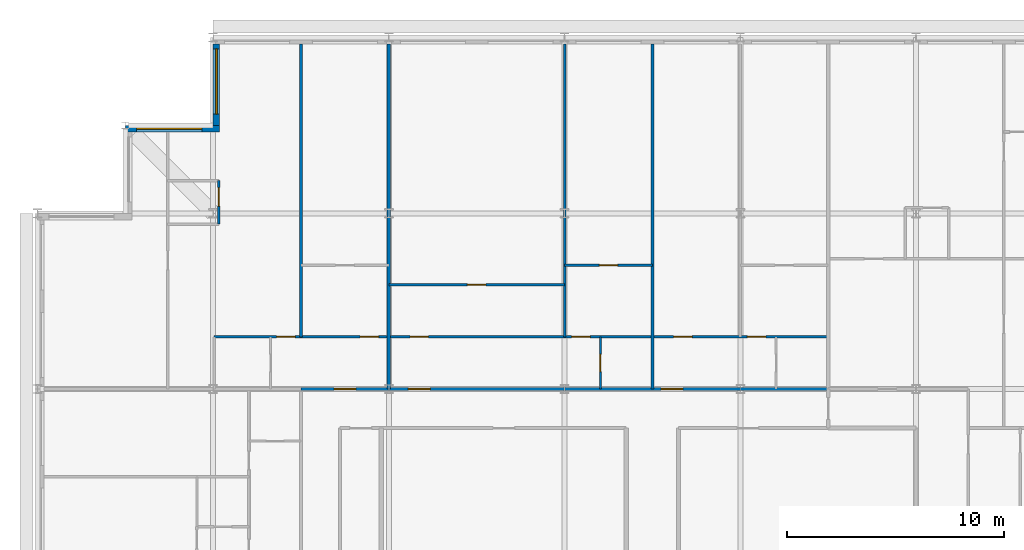
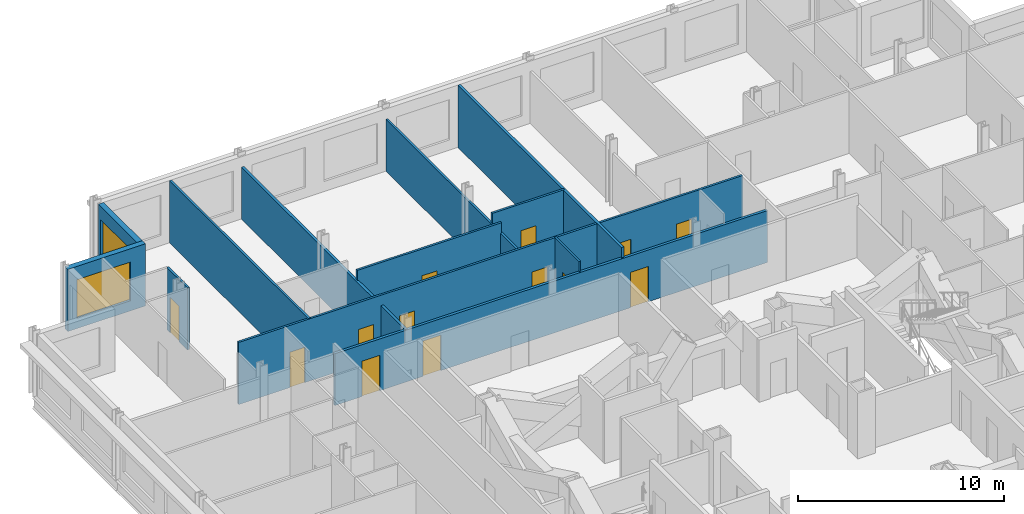
# One storey, part 12 of 15: 13 doors, 12 walls, 2 windows, 15 openings.
"""IFC4 building model written with IfcOpenShell, lengths in metres."""

from ifc_helpers import new_model, si_unit, direction, frame, frame_2d, origin, place, context, subcontext, project, spatial, rectangle, extrude, material, layer, layer_set, type_object, element, fill, save


model = new_model("IFC4")

# Units and contexts
model_context = context("Model", 3, precision=1e-05, world=origin(), true_north=direction((0.0, 1.0)))
body_context = subcontext(model_context, "Body", "Model", "MODEL_VIEW")
ifc_project = project(units=[si_unit("LENGTHUNIT", "METRE"), si_unit("AREAUNIT", "SQUARE_METRE"), si_unit("VOLUMEUNIT", "CUBIC_METRE"), si_unit("PLANEANGLEUNIT", "RADIAN"), si_unit("MASSUNIT", "GRAM", prefix="KILO")], contexts=[model_context])

# Site, building, storey
site_placement = place(None, origin())
site = spatial("IfcSite", under=ifc_project, at=site_placement, CompositionType="ELEMENT")
building_placement = place(site_placement, origin())
building = spatial("IfcBuilding", under=site, at=building_placement, Name="Kopane Lantern Tower", CompositionType="ELEMENT")
storey_placement = place(building_placement, frame((0.0, 0.0, 285.300048828125)))
storey = spatial("IfcBuildingStorey", under=building, at=storey_placement, Name="L73", CompositionType="ELEMENT", Elevation=285.300048828125)

# Wall
ifc_material_1 = material(Name="Gypsum board on steel studs", Category="steel")
ifc_layer_1 = layer(ifc_material_1, 0.1201171875)
ifc_layer_set_1 = layer_set([ifc_layer_1], Name="APARTMENT INTERNAL WALL 120")
wall_type_1 = type_object("IfcWallType", Name="APARTMENT INTERNAL WALL 120", PredefinedType="PARTITIONING", material=ifc_layer_set_1)
wall_1_placement = place(storey_placement, frame((24.300048828125, 51.0, 0.0), z_axis=(0.0, 0.0, 1.0), x_axis=(0.0, 1.0, 0.0)))
element("IfcWall", 1, at=wall_1_placement, inside=storey, type_object=wall_type_1, Name="Apartment Internal Wall 120 L73", PredefinedType="PARTITIONING", context=body_context, shape_type="SweptSolid", body=[
    extrude(rectangle(XDim=13.5, YDim=0.1201171875, at=frame_2d((6.75, 0.0))), origin(), (0.0, 0.0, 1.0), 3.07763671875),
])

# Wall, openings, doors
wall_2_placement = place(storey_placement, frame((8.14990234375, 51.0, 0.0), z_axis=(0.0, 0.0, 1.0), x_axis=(1.0, 0.0, 0.0)))
wall_2 = element("IfcWall", 2, at=wall_2_placement, inside=storey, type_object=wall_type_1, Name="Apartment Internal Wall 120 L73", PredefinedType="PARTITIONING", context=body_context, shape_type="SweptSolid", body=[
    extrude(rectangle(XDim=28.300048828125, YDim=0.1201171875, at=frame_2d((14.14990234375, 0.0))), origin(), (0.0, 0.0, 1.0), 3.68994140625),
])
opening_1_placement = place(wall_2_placement, frame((9.02490234375, 0.0, 0.0)))
opening_1 = element("IfcOpeningElement", 3, at=opening_1_placement, cuts=wall_2, Name="Opening L73-015", PredefinedType="OPENING", context=body_context, shape_type="SweptSolid", body=[
    extrude(rectangle(XDim=0.85009765625, YDim=2.10009765625, at=frame_2d((0.425048828125, 1.050048828125))), frame((0.0, 0.070068359375, 0.0), z_axis=(0.0, -1.0, 0.0), x_axis=(1.0, 0.0, 0.0)), (0.0, 0.0, 1.0), 0.14013671875),
])
opening_2_placement = place(wall_2_placement, frame((16.47509765625, 0.0, 0.0)))
opening_2 = element("IfcOpeningElement", 4, at=opening_2_placement, cuts=wall_2, Name="Opening L73-016", PredefinedType="OPENING", context=body_context, shape_type="SweptSolid", body=[
    extrude(rectangle(XDim=0.85009765625, YDim=2.10009765625, at=frame_2d((0.425048828125, 1.050048828125))), frame((0.0, 0.070068359375, 0.0), z_axis=(0.0, -1.0, 0.0), x_axis=(1.0, 0.0, 0.0)), (0.0, 0.0, 1.0), 0.14013671875),
])
opening_3_placement = place(wall_2_placement, frame((21.175048828125, 0.0, 0.0)))
opening_3 = element("IfcOpeningElement", 5, at=opening_3_placement, cuts=wall_2, Name="Opening L73-019", PredefinedType="OPENING", context=body_context, shape_type="SweptSolid", body=[
    extrude(rectangle(XDim=0.85009765625, YDim=2.10009765625, at=frame_2d((0.425048828125, 1.050048828125))), frame((0.0, 0.070068359375, 0.0), z_axis=(0.0, -1.0, 0.0), x_axis=(1.0, 0.0, 0.0)), (0.0, 0.0, 1.0), 0.14013671875),
])
opening_4_placement = place(wall_2_placement, frame((24.574951171875, 0.0, 0.0)))
opening_4 = element("IfcOpeningElement", 6, at=opening_4_placement, cuts=wall_2, Name="Opening L73-020", PredefinedType="OPENING", context=body_context, shape_type="SweptSolid", body=[
    extrude(rectangle(XDim=0.85009765625, YDim=2.10009765625, at=frame_2d((0.425048828125, 1.050048828125))), frame((0.0, 0.070068359375, 0.0), z_axis=(0.0, -1.0, 0.0), x_axis=(1.0, 0.0, 0.0)), (0.0, 0.0, 1.0), 0.14013671875),
])
opening_5_placement = place(wall_2_placement, frame((6.72509765625, 0.0, 0.0)))
opening_5 = element("IfcOpeningElement", 7, at=opening_5_placement, cuts=wall_2, Name="Opening L73-034", PredefinedType="OPENING", context=body_context, shape_type="SweptSolid", body=[
    extrude(rectangle(XDim=0.85009765625, YDim=2.10009765625, at=frame_2d((0.425048828125, 1.050048828125))), frame((0.0, 0.070068359375, 0.0), z_axis=(0.0, -1.0, 0.0), x_axis=(1.0, 0.0, 0.0)), (0.0, 0.0, 1.0), 0.14013671875),
])
opening_6_placement = place(wall_2_placement, frame((2.875, 0.0, 0.0)))
opening_6 = element("IfcOpeningElement", 8, at=opening_6_placement, cuts=wall_2, Name="Opening L73-036", PredefinedType="OPENING", context=body_context, shape_type="SweptSolid", body=[
    extrude(rectangle(XDim=0.85009765625, YDim=2.10009765625, at=frame_2d((0.425048828125, 1.050048828125))), frame((0.0, 0.070068359375, 0.0), z_axis=(0.0, -1.0, 0.0), x_axis=(1.0, 0.0, 0.0)), (0.0, 0.0, 1.0), 0.14013671875),
])
ifc_material_2 = material(Name="Timber door set", Category="wood")
door_type_1 = type_object("IfcDoorType", Name="DOOR D4 850x2100", OperationType="SINGLE_SWING_LEFT", PredefinedType="DOOR", material=ifc_material_2)
door_1_placement = place(opening_1_placement, origin())
door_1 = element("IfcDoor", 9, at=door_1_placement, inside=storey, type_object=door_type_1, Name="Door L73-015", OperationType="SINGLE_SWING_LEFT", OverallHeight=2.10009765625, OverallWidth=0.85009765625, PredefinedType="DOOR", context=body_context, shape_type="SweptSolid", body=[
    extrude(rectangle(XDim=0.85009765625, YDim=2.10009765625, at=frame_2d((0.425048828125, 1.050048828125))), frame((0.0, 0.02490234375, 0.0), z_axis=(0.0, -1.0, 0.0), x_axis=(1.0, 0.0, 0.0)), (0.0, 0.0, 1.0), 0.050048828125),
])
fill(opening_1, door_1)
door_2_placement = place(opening_2_placement, origin())
door_2 = element("IfcDoor", 10, at=door_2_placement, inside=storey, type_object=door_type_1, Name="Door L73-016", OperationType="SINGLE_SWING_LEFT", OverallHeight=2.10009765625, OverallWidth=0.85009765625, PredefinedType="DOOR", context=body_context, shape_type="SweptSolid", body=[
    extrude(rectangle(XDim=0.85009765625, YDim=2.10009765625, at=frame_2d((0.425048828125, 1.050048828125))), frame((0.0, 0.02490234375, 0.0), z_axis=(0.0, -1.0, 0.0), x_axis=(1.0, 0.0, 0.0)), (0.0, 0.0, 1.0), 0.050048828125),
])
fill(opening_2, door_2)
door_3_placement = place(opening_3_placement, origin())
door_3 = element("IfcDoor", 11, at=door_3_placement, inside=storey, type_object=door_type_1, Name="Door L73-019", OperationType="SINGLE_SWING_RIGHT", OverallHeight=2.10009765625, OverallWidth=0.85009765625, PredefinedType="DOOR", context=body_context, shape_type="SweptSolid", body=[
    extrude(rectangle(XDim=0.85009765625, YDim=2.10009765625, at=frame_2d((0.425048828125, 1.050048828125))), frame((0.0, 0.02490234375, 0.0), z_axis=(0.0, -1.0, 0.0), x_axis=(1.0, 0.0, 0.0)), (0.0, 0.0, 1.0), 0.050048828125),
])
fill(opening_3, door_3)
door_4_placement = place(opening_4_placement, origin())
door_4 = element("IfcDoor", 12, at=door_4_placement, inside=storey, type_object=door_type_1, Name="Door L73-020", OperationType="SINGLE_SWING_LEFT", OverallHeight=2.10009765625, OverallWidth=0.85009765625, PredefinedType="DOOR", context=body_context, shape_type="SweptSolid", body=[
    extrude(rectangle(XDim=0.85009765625, YDim=2.10009765625, at=frame_2d((0.425048828125, 1.050048828125))), frame((0.0, 0.02490234375, 0.0), z_axis=(0.0, -1.0, 0.0), x_axis=(1.0, 0.0, 0.0)), (0.0, 0.0, 1.0), 0.050048828125),
])
fill(opening_4, door_4)
door_5_placement = place(opening_5_placement, origin())
door_5 = element("IfcDoor", 13, at=door_5_placement, inside=storey, type_object=door_type_1, Name="Door L73-034", OperationType="SINGLE_SWING_LEFT", OverallHeight=2.10009765625, OverallWidth=0.85009765625, PredefinedType="DOOR", context=body_context, shape_type="SweptSolid", body=[
    extrude(rectangle(XDim=0.85009765625, YDim=2.10009765625, at=frame_2d((0.425048828125, 1.050048828125))), frame((0.0, 0.02490234375, 0.0), z_axis=(0.0, -1.0, 0.0), x_axis=(1.0, 0.0, 0.0)), (0.0, 0.0, 1.0), 0.050048828125),
])
fill(opening_5, door_5)
door_6_placement = place(opening_6_placement, origin())
door_6 = element("IfcDoor", 14, at=door_6_placement, inside=storey, type_object=door_type_1, Name="Door L73-036", OperationType="SINGLE_SWING_RIGHT", OverallHeight=2.10009765625, OverallWidth=0.85009765625, PredefinedType="DOOR", context=body_context, shape_type="SweptSolid", body=[
    extrude(rectangle(XDim=0.85009765625, YDim=2.10009765625, at=frame_2d((0.425048828125, 1.050048828125))), frame((0.0, 0.02490234375, 0.0), z_axis=(0.0, -1.0, 0.0), x_axis=(1.0, 0.0, 0.0)), (0.0, 0.0, 1.0), 0.050048828125),
])
fill(opening_6, door_6)

# Wall
wall_3_placement = place(storey_placement, frame((12.14990234375, 51.0, 0.0), z_axis=(0.0, 0.0, 1.0), x_axis=(0.0, 1.0, 0.0)))
element("IfcWall", 15, at=wall_3_placement, inside=storey, type_object=wall_type_1, Name="Apartment Internal Wall 120 L73", PredefinedType="PARTITIONING", context=body_context, shape_type="SweptSolid", body=[
    extrude(rectangle(XDim=13.5, YDim=0.1201171875, at=frame_2d((6.75, 0.0))), origin(), (0.0, 0.0, 1.0), 3.68994140625),
])

# Wall, opening, door
wall_4_placement = place(storey_placement, frame((16.199951171875, 53.39990234375, 0.0), z_axis=(0.0, 0.0, 1.0), x_axis=(1.0, 0.0, 0.0)))
wall_4 = element("IfcWall", 16, at=wall_4_placement, inside=storey, type_object=wall_type_1, Name="Apartment Internal Wall 120 L73", PredefinedType="PARTITIONING", context=body_context, shape_type="SweptSolid", body=[
    extrude(rectangle(XDim=8.10009765625, YDim=0.1201171875, at=frame_2d((4.050048828125, 0.0))), origin(), (0.0, 0.0, 1.0), 3.68994140625),
])
opening_7_placement = place(wall_4_placement, frame((3.625, 0.0, 0.0)))
opening_7 = element("IfcOpeningElement", 17, at=opening_7_placement, cuts=wall_4, Name="Opening L73-060", PredefinedType="OPENING", context=body_context, shape_type="SweptSolid", body=[
    extrude(rectangle(XDim=0.85009765625, YDim=2.10009765625, at=frame_2d((0.425048828125, 1.050048828125))), frame((0.0, 0.070068359375, 0.0), z_axis=(0.0, -1.0, 0.0), x_axis=(1.0, 0.0, 0.0)), (0.0, 0.0, 1.0), 0.14013671875),
])
door_7_placement = place(opening_7_placement, origin())
door_7 = element("IfcDoor", 18, at=door_7_placement, inside=storey, type_object=door_type_1, Name="Door L73-060", OperationType="SINGLE_SWING_RIGHT", OverallHeight=2.10009765625, OverallWidth=0.85009765625, PredefinedType="DOOR", context=body_context, shape_type="SweptSolid", body=[
    extrude(rectangle(XDim=0.85009765625, YDim=2.10009765625, at=frame_2d((0.425048828125, 1.050048828125))), frame((0.0, 0.02490234375, 0.0), z_axis=(0.0, -1.0, 0.0), x_axis=(1.0, 0.0, 0.0)), (0.0, 0.0, 1.0), 0.050048828125),
])
fill(opening_7, door_7)

wall_5_placement = place(storey_placement, frame((24.300048828125, 54.300048828125, 0.0), z_axis=(0.0, 0.0, 1.0), x_axis=(1.0, 0.0, 0.0)))
wall_5 = element("IfcWall", 19, at=wall_5_placement, inside=storey, type_object=wall_type_1, Name="Apartment Internal Wall 120 L73", PredefinedType="PARTITIONING", context=body_context, shape_type="SweptSolid", body=[
    extrude(rectangle(XDim=4.050048828125, YDim=0.1201171875, at=frame_2d((2.02490234375, 0.0))), origin(), (0.0, 0.0, 1.0), 3.68994140625),
])
opening_8_placement = place(wall_5_placement, frame((1.60009765625, 0.0, 0.0)))
opening_8 = element("IfcOpeningElement", 20, at=opening_8_placement, cuts=wall_5, Name="Opening L73-061", PredefinedType="OPENING", context=body_context, shape_type="SweptSolid", body=[
    extrude(rectangle(XDim=0.85009765625, YDim=2.10009765625, at=frame_2d((0.425048828125, 1.050048828125))), frame((0.0, 0.070068359375, 0.0), z_axis=(0.0, -1.0, 0.0), x_axis=(1.0, 0.0, 0.0)), (0.0, 0.0, 1.0), 0.14013671875),
])
door_8_placement = place(opening_8_placement, origin())
door_8 = element("IfcDoor", 21, at=door_8_placement, inside=storey, type_object=door_type_1, Name="Door L73-061", OperationType="SINGLE_SWING_RIGHT", OverallHeight=2.10009765625, OverallWidth=0.85009765625, PredefinedType="DOOR", context=body_context, shape_type="SweptSolid", body=[
    extrude(rectangle(XDim=0.85009765625, YDim=2.10009765625, at=frame_2d((0.425048828125, 1.050048828125))), frame((0.0, 0.02490234375, 0.0), z_axis=(0.0, -1.0, 0.0), x_axis=(1.0, 0.0, 0.0)), (0.0, 0.0, 1.0), 0.050048828125),
])
fill(opening_8, door_8)

wall_6_placement = place(storey_placement, frame((8.363037109375, 56.197021484375, 0.0), z_axis=(0.0, 0.0, 1.0), x_axis=(0.0, 1.0, 0.0)))
wall_6 = element("IfcWall", 22, at=wall_6_placement, inside=storey, type_object=wall_type_1, Name="Apartment Internal Wall 120 L73", PredefinedType="PARTITIONING", context=body_context, shape_type="SweptSolid", body=[
    extrude(rectangle(XDim=2.005859375, YDim=0.1201171875, at=frame_2d((1.0029296875, 0.0))), origin(), (0.0, 0.0, 1.0), 3.68994140625),
])
opening_9_placement = place(wall_6_placement, frame((0.8310546875, 0.0, 0.0)))
opening_9 = element("IfcOpeningElement", 23, at=opening_9_placement, cuts=wall_6, Name="Opening L73-074", PredefinedType="OPENING", context=body_context, shape_type="SweptSolid", body=[
    extrude(rectangle(XDim=0.85009765625, YDim=2.10009765625, at=frame_2d((0.425048828125, 1.050048828125))), frame((0.0, 0.070068359375, 0.0), z_axis=(0.0, -1.0, 0.0), x_axis=(1.0, 0.0, 0.0)), (0.0, 0.0, 1.0), 0.14013671875),
])
door_9_placement = place(opening_9_placement, origin())
door_9 = element("IfcDoor", 24, at=door_9_placement, inside=storey, type_object=door_type_1, Name="Door L73-074", OperationType="SINGLE_SWING_RIGHT", OverallHeight=2.10009765625, OverallWidth=0.85009765625, PredefinedType="DOOR", context=body_context, shape_type="SweptSolid", body=[
    extrude(rectangle(XDim=0.85009765625, YDim=2.10009765625, at=frame_2d((0.425048828125, 1.050048828125))), frame((0.0, 0.02490234375, 0.0), z_axis=(0.0, -1.0, 0.0), x_axis=(1.0, 0.0, 0.0)), (0.0, 0.0, 1.0), 0.050048828125),
])
fill(opening_9, door_9)

ifc_material_3 = material(Name="Moisture-resistant board on steel studs", Category="steel")
ifc_layer_2 = layer(ifc_material_3, 0.10009765625)
ifc_layer_set_2 = layer_set([ifc_layer_2], Name="BATHROOM WALL 100")
wall_type_2 = type_object("IfcWallType", Name="BATHROOM WALL 100", PredefinedType="PARTITIONING", material=ifc_layer_set_2)
wall_7_placement = place(storey_placement, frame((25.949951171875, 48.60009765625, 0.0), z_axis=(0.0, 0.0, 1.0), x_axis=(0.0, 1.0, 0.0)))
wall_7 = element("IfcWall", 25, at=wall_7_placement, inside=storey, type_object=wall_type_2, Name="Bathroom Wall 100 L73", PredefinedType="PARTITIONING", context=body_context, shape_type="SweptSolid", body=[
    extrude(rectangle(XDim=2.39990234375, YDim=0.10009765625, at=frame_2d((1.199951171875, 0.0))), origin(), (0.0, 0.0, 1.0), 3.68994140625),
])
opening_10_placement = place(wall_7_placement, frame((0.800048828125, 0.0, 0.0)))
opening_10 = element("IfcOpeningElement", 26, at=opening_10_placement, cuts=wall_7, Name="Opening L73-013", PredefinedType="OPENING", context=body_context, shape_type="SweptSolid", body=[
    extrude(rectangle(XDim=0.800048828125, YDim=2.10009765625, at=frame_2d((0.39990234375, 1.050048828125))), frame((0.0, 0.06005859375, 0.0), z_axis=(0.0, -1.0, 0.0), x_axis=(1.0, 0.0, 0.0)), (0.0, 0.0, 1.0), 0.1201171875),
])
ifc_material_4 = material(Name="Timber door set", Category="wood")
door_type_2 = type_object("IfcDoorType", Name="DOOR D2 800x2100", OperationType="SINGLE_SWING_LEFT", PredefinedType="DOOR", material=ifc_material_4)
door_10_placement = place(opening_10_placement, origin())
door_10 = element("IfcDoor", 27, at=door_10_placement, inside=storey, type_object=door_type_2, Name="Door L73-013", OperationType="SINGLE_SWING_RIGHT", OverallHeight=2.10009765625, OverallWidth=0.800048828125, PredefinedType="DOOR", context=body_context, shape_type="SweptSolid", body=[
    extrude(rectangle(XDim=0.800048828125, YDim=2.10009765625, at=frame_2d((0.39990234375, 1.050048828125))), frame((0.0, 0.02490234375, 0.0), z_axis=(0.0, -1.0, 0.0), x_axis=(1.0, 0.0, 0.0)), (0.0, 0.0, 1.0), 0.050048828125),
])
fill(opening_10, door_10)

# Wall, openings, doors
ifc_material_5 = material(Name="Gypsum board on steel studs", Category="steel")
ifc_layer_3 = layer(ifc_material_5, 0.14990234375)
ifc_layer_set_3 = layer_set([ifc_layer_3], Name="CORRIDOR WALL 150 EI 60")
wall_type_3 = type_object("IfcWallType", Name="CORRIDOR WALL 150 EI 60", PredefinedType="PARTITIONING", material=ifc_layer_set_3)
wall_8_placement = place(storey_placement, frame((12.14990234375, 48.60009765625, 0.0), z_axis=(0.0, 0.0, 1.0), x_axis=(1.0, 0.0, 0.0)))
wall_8 = element("IfcWall", 28, at=wall_8_placement, inside=storey, type_object=wall_type_3, Name="Corridor Wall 150 Ei 60 L73", PredefinedType="PARTITIONING", context=body_context, shape_type="SweptSolid", body=[
    extrude(rectangle(XDim=24.300048828125, YDim=0.14990234375, at=frame_2d((12.14990234375, 0.0))), origin(), (0.0, 0.0, 1.0), 3.07763671875),
])
opening_11_placement = place(wall_8_placement, frame((4.949951171875, 0.0, 0.0)))
opening_11 = element("IfcOpeningElement", 29, at=opening_11_placement, cuts=wall_8, Name="Opening L73-014", PredefinedType="OPENING", context=body_context, shape_type="SweptSolid", body=[
    extrude(rectangle(XDim=1.0, YDim=2.10009765625, at=frame_2d((0.5, 1.050048828125))), frame((0.0, 0.0849609375, 0.0), z_axis=(0.0, -1.0, 0.0), x_axis=(1.0, 0.0, 0.0)), (0.0, 0.0, 1.0), 0.169921875),
])
opening_12_placement = place(wall_8_placement, frame((16.60009765625, 0.0, 0.0)))
opening_12 = element("IfcOpeningElement", 30, at=opening_12_placement, cuts=wall_8, Name="Opening L73-018", PredefinedType="OPENING", context=body_context, shape_type="SweptSolid", body=[
    extrude(rectangle(XDim=1.0, YDim=2.10009765625, at=frame_2d((0.5, 1.050048828125))), frame((0.0, 0.0849609375, 0.0), z_axis=(0.0, -1.0, 0.0), x_axis=(1.0, 0.0, 0.0)), (0.0, 0.0, 1.0), 0.169921875),
])
opening_13_placement = place(wall_8_placement, frame((1.52490234375, 0.0, 0.0)))
opening_13 = element("IfcOpeningElement", 31, at=opening_13_placement, cuts=wall_8, Name="Opening L73-033", PredefinedType="OPENING", context=body_context, shape_type="SweptSolid", body=[
    extrude(rectangle(XDim=1.0, YDim=2.10009765625, at=frame_2d((0.5, 1.050048828125))), frame((0.0, 0.0849609375, 0.0), z_axis=(0.0, -1.0, 0.0), x_axis=(1.0, 0.0, 0.0)), (0.0, 0.0, 1.0), 0.169921875),
])
ifc_material_6 = material(Name="Steel door set", Category="steel")
door_type_3 = type_object("IfcDoorType", Name="DOOR D3 1000x2100 FD30S", OperationType="SINGLE_SWING_LEFT", PredefinedType="DOOR", material=ifc_material_6)
door_11_placement = place(opening_11_placement, origin())
door_11 = element("IfcDoor", 32, at=door_11_placement, inside=storey, type_object=door_type_3, Name="Door L73-014", OperationType="SINGLE_SWING_LEFT", OverallHeight=2.10009765625, OverallWidth=1.0, PredefinedType="DOOR", context=body_context, shape_type="SweptSolid", body=[
    extrude(rectangle(XDim=1.0, YDim=2.10009765625, at=frame_2d((0.5, 1.050048828125))), frame((0.0, 0.02490234375, 0.0), z_axis=(0.0, -1.0, 0.0), x_axis=(1.0, 0.0, 0.0)), (0.0, 0.0, 1.0), 0.050048828125),
])
fill(opening_11, door_11)
door_12_placement = place(opening_12_placement, origin())
door_12 = element("IfcDoor", 33, at=door_12_placement, inside=storey, type_object=door_type_3, Name="Door L73-018", OperationType="SINGLE_SWING_LEFT", OverallHeight=2.10009765625, OverallWidth=1.0, PredefinedType="DOOR", context=body_context, shape_type="SweptSolid", body=[
    extrude(rectangle(XDim=1.0, YDim=2.10009765625, at=frame_2d((0.5, 1.050048828125))), frame((0.0, 0.02490234375, 0.0), z_axis=(0.0, -1.0, 0.0), x_axis=(1.0, 0.0, 0.0)), (0.0, 0.0, 1.0), 0.050048828125),
])
fill(opening_12, door_12)
door_13_placement = place(opening_13_placement, origin())
door_13 = element("IfcDoor", 34, at=door_13_placement, inside=storey, type_object=door_type_3, Name="Door L73-033", OperationType="SINGLE_SWING_RIGHT", OverallHeight=2.10009765625, OverallWidth=1.0, PredefinedType="DOOR", context=body_context, shape_type="SweptSolid", body=[
    extrude(rectangle(XDim=1.0, YDim=2.10009765625, at=frame_2d((0.5, 1.050048828125))), frame((0.0, 0.02490234375, 0.0), z_axis=(0.0, -1.0, 0.0), x_axis=(1.0, 0.0, 0.0)), (0.0, 0.0, 1.0), 0.050048828125),
])
fill(opening_13, door_13)

# Walls
ifc_material_7 = material(Name="Gypsum board on steel studs", Category="steel")
ifc_layer_4 = layer(ifc_material_7, 0.14990234375)
ifc_layer_set_4 = layer_set([ifc_layer_4], Name="DEMISING WALL 150 EI 60")
wall_type_4 = type_object("IfcWallType", Name="DEMISING WALL 150 EI 60", PredefinedType="PARTITIONING", material=ifc_layer_set_4)
wall_9_placement = place(storey_placement, frame((28.35009765625, 48.60009765625, 0.0), z_axis=(0.0, 0.0, 1.0), x_axis=(0.0, 1.0, 0.0)))
element("IfcWall", 35, at=wall_9_placement, inside=storey, type_object=wall_type_4, Name="Demising Wall 150 Ei 60 L73", PredefinedType="PARTITIONING", context=body_context, shape_type="SweptSolid", body=[
    extrude(rectangle(XDim=15.89990234375, YDim=0.14990234375, at=frame_2d((7.949951171875, 0.0))), origin(), (0.0, 0.0, 1.0), 3.68994140625),
])
wall_10_placement = place(storey_placement, frame((16.199951171875, 48.60009765625, 0.0), z_axis=(0.0, 0.0, 1.0), x_axis=(0.0, 1.0, 0.0)))
element("IfcWall", 36, at=wall_10_placement, inside=storey, type_object=wall_type_4, Name="Demising Wall 150 Ei 60 L73", PredefinedType="PARTITIONING", context=body_context, shape_type="SweptSolid", body=[
    extrude(rectangle(XDim=15.89990234375, YDim=0.14990234375, at=frame_2d((7.949951171875, 0.0))), origin(), (0.0, 0.0, 1.0), 3.07763671875),
])

# Wall, opening, window
ifc_material_8 = material(Name="Terracotta rainscreen on light steel framing", Category="masonry")
ifc_layer_5 = layer(ifc_material_8, 0.300048828125)
ifc_layer_set_5 = layer_set([ifc_layer_5], Name="EXTERNAL WALL EW1 300 TERRACOTTA")
wall_type_5 = type_object("IfcWallType", Name="EXTERNAL WALL EW1 300 TERRACOTTA", PredefinedType="SOLIDWALL", material=ifc_layer_set_5)
wall_11_placement = place(storey_placement, frame((8.25, 64.5, 0.0), z_axis=(0.0, 0.0, 1.0), x_axis=(0.0, -1.0, 0.0)))
wall_11 = element("IfcWall", 37, at=wall_11_placement, inside=storey, type_object=wall_type_5, Name="External wall W L73", PredefinedType="SOLIDWALL", context=body_context, shape_type="SweptSolid", body=[
    extrude(rectangle(XDim=3.75, YDim=0.300048828125, at=frame_2d((1.875, 0.0))), origin(), (0.0, 0.0, 1.0), 3.68994140625),
])
opening_14_placement = place(wall_11_placement, frame((0.22509765625, 0.0, 0.60009765625)))
opening_14 = element("IfcOpeningElement", 38, at=opening_14_placement, cuts=wall_11, Name="Opening WR300230", PredefinedType="OPENING", context=body_context, shape_type="SweptSolid", body=[
    extrude(rectangle(XDim=3.0, YDim=2.300048828125, at=frame_2d((1.5, 1.14990234375))), frame((0.0, 0.159912109375, 0.0), z_axis=(0.0, -1.0, 0.0), x_axis=(1.0, 0.0, 0.0)), (0.0, 0.0, 1.0), 0.320068359375),
])
ifc_material_9 = material(Name="Aluminium and clear glass", Category="aluminium")
window_type = type_object("IfcWindowType", Name="RIBBON WINDOW WR300230 3000x2300", PartitioningType="SINGLE_PANEL", PredefinedType="WINDOW", material=ifc_material_9)
window_1_placement = place(opening_14_placement, origin())
window_1 = element("IfcWindow", 39, at=window_1_placement, inside=storey, type_object=window_type, Name="Window W L73", OverallHeight=2.300048828125, OverallWidth=3.0, PartitioningType="SINGLE_PANEL", PredefinedType="WINDOW", context=body_context, shape_type="SweptSolid", body=[
    extrude(rectangle(XDim=3.0, YDim=2.300048828125, at=frame_2d((1.5, 1.14990234375))), frame((0.0, 0.030029296875, 0.0), z_axis=(0.0, -1.0, 0.0), x_axis=(1.0, 0.0, 0.0)), (0.0, 0.0, 1.0), 0.06005859375),
])
fill(opening_14, window_1)

wall_12_placement = place(storey_placement, frame((8.39990234375, 60.60009765625, 0.0), z_axis=(0.0, 0.0, 1.0), x_axis=(-1.0, 0.0, 0.0)))
wall_12 = element("IfcWall", 40, at=wall_12_placement, inside=storey, type_object=wall_type_5, Name="External wall N L73", PredefinedType="SOLIDWALL", context=body_context, shape_type="SweptSolid", body=[
    extrude(rectangle(XDim=4.349853515625, YDim=0.300048828125, at=frame_2d((2.1748046875, 0.0))), origin(), (0.0, 0.0, 1.0), 3.68994140625),
])
opening_15_placement = place(wall_12_placement, frame((0.824951171875, 0.0, 0.60009765625)))
opening_15 = element("IfcOpeningElement", 41, at=opening_15_placement, cuts=wall_12, Name="Opening WR300230", PredefinedType="OPENING", context=body_context, shape_type="SweptSolid", body=[
    extrude(rectangle(XDim=3.0, YDim=2.300048828125, at=frame_2d((1.5, 1.14990234375))), frame((0.0, 0.159912109375, 0.0), z_axis=(0.0, -1.0, 0.0), x_axis=(1.0, 0.0, 0.0)), (0.0, 0.0, 1.0), 0.320068359375),
])
window_2_placement = place(opening_15_placement, origin())
window_2 = element("IfcWindow", 42, at=window_2_placement, inside=storey, type_object=window_type, Name="Window N L73", OverallHeight=2.300048828125, OverallWidth=3.0, PartitioningType="SINGLE_PANEL", PredefinedType="WINDOW", context=body_context, shape_type="SweptSolid", body=[
    extrude(rectangle(XDim=3.0, YDim=2.300048828125, at=frame_2d((1.5, 1.14990234375))), frame((0.0, 0.030029296875, 0.0), z_axis=(0.0, -1.0, 0.0), x_axis=(1.0, 0.0, 0.0)), (0.0, 0.0, 1.0), 0.06005859375),
])
fill(opening_15, window_2)

save(model, "model.ifc")
